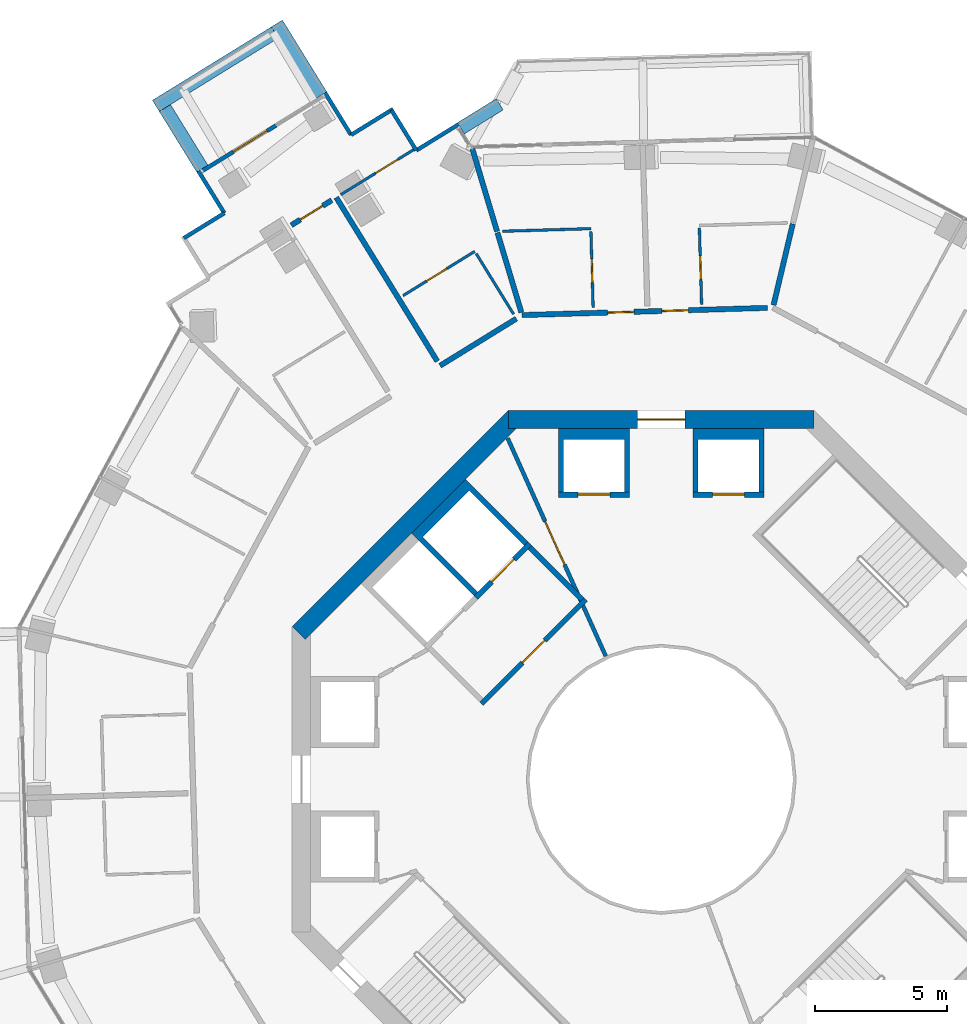
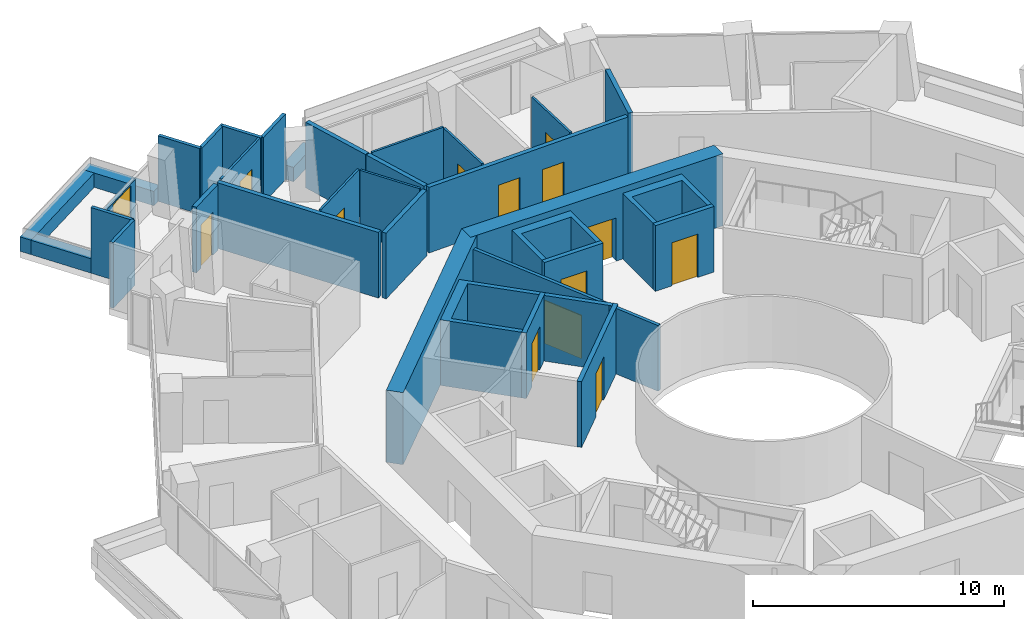
# One storey, part 18 of 22: 35 walls, 14 doors, 14 openings.
"""IFC4 building model written with IfcOpenShell, lengths in metres."""

from ifc_helpers import new_model, si_unit, direction, frame, frame_2d, origin, place, context, subcontext, project, spatial, polyline, rectangle, outline, extrude, material, layer, layer_set, type_object, element, fill, save


model = new_model("IFC4")

# Units and contexts
model_context = context("Model", 3, precision=1e-05, world=origin(), true_north=direction((0.0, 1.0)))
body_context = subcontext(model_context, "Body", "Model", "MODEL_VIEW")
ifc_project = project(units=[si_unit("LENGTHUNIT", "METRE"), si_unit("AREAUNIT", "SQUARE_METRE"), si_unit("VOLUMEUNIT", "CUBIC_METRE"), si_unit("PLANEANGLEUNIT", "RADIAN"), si_unit("MASSUNIT", "GRAM", prefix="KILO")], contexts=[model_context])

# Site, building, storey
site_placement = place(None, origin())
site = spatial("IfcSite", under=ifc_project, at=site_placement, CompositionType="ELEMENT")
building_placement = place(site_placement, origin())
building = spatial("IfcBuilding", under=site, at=building_placement, Name="Verdalira Terraces Hotel", CompositionType="ELEMENT")
storey_placement = place(building_placement, frame((0.0, 0.0, 162.0)))
storey = spatial("IfcBuildingStorey", under=building, at=storey_placement, Name="L39", CompositionType="ELEMENT", Elevation=162.0)

# Walls
ifc_material_1 = material(Name="Concrete C40", Category="concrete")
ifc_layer_1 = layer(ifc_material_1, 0.5)
ifc_layer_set_1 = layer_set([ifc_layer_1], Name="Balcony planter trough with tree")
wall_type_1 = type_object("IfcWallType", Name="Balcony planter trough with tree", PredefinedType="SOLIDWALL", material=ifc_layer_set_1)
wall_1_placement = place(storey_placement, frame((-12.901123, 25.950928, 0.0), z_axis=(0.0, 0.0, 1.0), x_axis=(-0.525174364, 0.850994646, 0.0)))
element("IfcWall", 1, at=wall_1_placement, inside=storey, type_object=wall_type_1, Name="Balcony planter", PredefinedType="SOLIDWALL", context=body_context, shape_type="SweptSolid", body=[
    extrude(rectangle(XDim=3.19873, YDim=0.5, at=frame_2d((1.599365, 0.0))), origin(), (0.0, 0.0, 1.0), 0.699951),
])
wall_2_placement = place(storey_placement, frame((-14.662598, 28.329102, 0.0), z_axis=(0.0, 0.0, 1.0), x_axis=(-0.850991773, -0.525179019, 0.0)))
element("IfcWall", 2, at=wall_2_placement, inside=storey, type_object=wall_type_1, Name="Balcony planter", PredefinedType="SOLIDWALL", context=body_context, shape_type="SweptSolid", body=[
    extrude(rectangle(XDim=5.300049, YDim=0.5, at=frame_2d((2.649902, 0.0))), origin(), (0.0, 0.0, 1.0), 0.699951),
])
wall_3_placement = place(storey_placement, frame((-18.828857, 25.464355, 0.0), z_axis=(0.0, 0.0, 1.0), x_axis=(0.525177019, -0.850993007, 0.0)))
element("IfcWall", 3, at=wall_3_placement, inside=storey, type_object=wall_type_1, Name="Balcony planter", PredefinedType="SOLIDWALL", context=body_context, shape_type="SweptSolid", body=[
    extrude(rectangle(XDim=2.698975, YDim=0.5, at=frame_2d((1.349609, 0.0))), origin(), (0.0, 0.0, 1.0), 0.699951),
])
wall_4_placement = place(storey_placement, frame((-6.128418, 25.605225, 0.0), z_axis=(0.0, 0.0, 1.0), x_axis=(-0.85094078, -0.525261638, 0.0)))
element("IfcWall", 4, at=wall_4_placement, inside=storey, type_object=wall_type_1, Name="Balcony planter", PredefinedType="SOLIDWALL", context=body_context, shape_type="SweptSolid", body=[
    extrude(rectangle(XDim=1.730957, YDim=0.5, at=frame_2d((0.865479, 0.0))), origin(), (0.0, 0.0, 1.0), 0.699951),
])

# Wall, opening, door
ifc_material_2 = material(Name="Moisture-resistant gypsum board partition")
ifc_layer_2 = layer(ifc_material_2, 0.10009765625)
ifc_layer_set_2 = layer_set([ifc_layer_2], Name="Bathroom partition 100 mm")
wall_type_2 = type_object("IfcWallType", Name="Bathroom partition 100 mm", PredefinedType="PARTITIONING", material=ifc_layer_set_2)
wall_5_placement = place(storey_placement, frame((-9.391357, 23.885254, 0.0), z_axis=(0.0, 0.0, 1.0), x_axis=(-0.851000318, -0.525165172, 0.0)))
wall_5 = element("IfcWall", 5, at=wall_5_placement, inside=storey, type_object=wall_type_2, Name="Bathroom partition", PredefinedType="PARTITIONING", context=body_context, shape_type="SweptSolid", body=[
    extrude(rectangle(XDim=3.251953, YDim=0.100098, at=frame_2d((1.625977, 0.0))), origin(), (0.0, 0.0, 1.0), 3.189941),
])
opening_1_placement = place(wall_5_placement, frame((0.699951, 0.0, 0.0)))
opening_1 = element("IfcOpeningElement", 6, at=opening_1_placement, cuts=wall_5, Name="Opening L39-102", PredefinedType="OPENING", context=body_context, shape_type="SweptSolid", body=[
    extrude(rectangle(XDim=1.0, YDim=2.100098, at=frame_2d((0.5, 1.050049))), frame((0.0, 0.060059, 0.0), z_axis=(0.0, -1.0, 0.0), x_axis=(1.0, 0.0, 0.0)), (0.0, 0.0, 1.0), 0.120117),
])
ifc_material_3 = material(Name="Timber door", Category="wood")
door_type_1 = type_object("IfcDoorType", Name="Suite internal door 1000 x 2100", OperationType="NOTDEFINED", PredefinedType="DOOR", material=ifc_material_3)
door_1_placement = place(opening_1_placement, origin())
door_1 = element("IfcDoor", 7, at=door_1_placement, inside=storey, type_object=door_type_1, Name="Suite internal door 3901", OperationType="SINGLE_SWING_LEFT", OverallHeight=2.10009765625, OverallWidth=1.0, PredefinedType="DOOR", context=body_context, shape_type="SweptSolid", body=[
    extrude(rectangle(XDim=1.0, YDim=2.100098, at=frame_2d((0.5, 1.050049))), frame((0.0, 0.024902, 0.0), z_axis=(0.0, -1.0, 0.0), x_axis=(1.0, 0.0, 0.0)), (0.0, 0.0, 1.0), 0.050049),
])
fill(opening_1, door_1)

wall_6_placement = place(storey_placement, frame((-7.072266, 20.028564, 0.0), z_axis=(0.0, 0.0, 1.0), x_axis=(-0.850976524, -0.525203729, 0.0)))
wall_6 = element("IfcWall", 8, at=wall_6_placement, inside=storey, type_object=wall_type_2, Name="Bathroom partition", PredefinedType="PARTITIONING", context=body_context, shape_type="SweptSolid", body=[
    extrude(rectangle(XDim=3.199951, YDim=0.100098, at=frame_2d((1.600098, 0.0))), origin(), (0.0, 0.0, 1.0), 3.189941),
])
opening_2_placement = place(wall_6_placement, frame((1.25, 0.0, 0.0)))
opening_2 = element("IfcOpeningElement", 9, at=opening_2_placement, cuts=wall_6, Name="Opening L39-104", PredefinedType="OPENING", context=body_context, shape_type="SweptSolid", body=[
    extrude(rectangle(XDim=0.899902, YDim=2.100098, at=frame_2d((0.449951, 1.050049))), frame((0.0, 0.060059, 0.0), z_axis=(0.0, -1.0, 0.0), x_axis=(1.0, 0.0, 0.0)), (0.0, 0.0, 1.0), 0.120117),
])
ifc_material_4 = material(Name="Timber door", Category="wood")
door_type_2 = type_object("IfcDoorType", Name="Bathroom door 900 x 2100", OperationType="NOTDEFINED", PredefinedType="DOOR", material=ifc_material_4)
door_2_placement = place(opening_2_placement, origin())
door_2 = element("IfcDoor", 10, at=door_2_placement, inside=storey, type_object=door_type_2, Name="Bathroom door 3901", OperationType="SINGLE_SWING_LEFT", OverallHeight=2.10009765625, OverallWidth=0.89990234375, PredefinedType="DOOR", context=body_context, shape_type="SweptSolid", body=[
    extrude(rectangle(XDim=0.899902, YDim=2.100098, at=frame_2d((0.449951, 1.050049))), frame((0.0, 0.024902, 0.0), z_axis=(0.0, -1.0, 0.0), x_axis=(1.0, 0.0, 0.0)), (0.0, 0.0, 1.0), 0.050049),
])
fill(opening_2, door_2)

# Walls
wall_7_placement = place(storey_placement, frame((-5.601807, 17.645752, 0.0), z_axis=(0.0, 0.0, 1.0), x_axis=(-0.52518675, 0.850987002, 0.0)))
element("IfcWall", 11, at=wall_7_placement, inside=storey, type_object=wall_type_2, Name="Bathroom partition", PredefinedType="PARTITIONING", context=body_context, shape_type="SweptSolid", body=[
    extrude(rectangle(XDim=2.699951, YDim=0.100098, at=frame_2d((1.350098, 0.0))), origin(), (0.0, 0.0, 1.0), 3.189941),
])
wall_8_placement = place(storey_placement, frame((-6.020752, 20.790771, 0.0), z_axis=(0.0, 0.0, 1.0), x_axis=(0.999570835, 0.029294122, 0.0)))
element("IfcWall", 12, at=wall_8_placement, inside=storey, type_object=wall_type_2, Name="Bathroom partition", PredefinedType="PARTITIONING", context=body_context, shape_type="SweptSolid", body=[
    extrude(rectangle(XDim=3.350342, YDim=0.100098, at=frame_2d((1.675293, 0.0))), origin(), (0.0, 0.0, 1.0), 3.189941),
])

# Wall, opening, door
wall_9_placement = place(storey_placement, frame((-2.583984, 17.890381, 0.0), z_axis=(0.0, 0.0, 1.0), x_axis=(-0.029297618, 0.999570733, 0.0)))
wall_9 = element("IfcWall", 13, at=wall_9_placement, inside=storey, type_object=wall_type_2, Name="Bathroom partition", PredefinedType="PARTITIONING", context=body_context, shape_type="SweptSolid", body=[
    extrude(rectangle(XDim=2.899902, YDim=0.100098, at=frame_2d((1.449951, 0.0))), origin(), (0.0, 0.0, 1.0), 3.189941),
])
opening_3_placement = place(wall_9_placement, frame((0.949951, 0.0, 0.0)))
opening_3 = element("IfcOpeningElement", 14, at=opening_3_placement, cuts=wall_9, Name="Opening L39-139", PredefinedType="OPENING", context=body_context, shape_type="SweptSolid", body=[
    extrude(rectangle(XDim=0.899902, YDim=2.100098, at=frame_2d((0.449951, 1.050049))), frame((0.0, 0.060059, 0.0), z_axis=(0.0, -1.0, 0.0), x_axis=(1.0, 0.0, 0.0)), (0.0, 0.0, 1.0), 0.120117),
])
door_3_placement = place(opening_3_placement, origin())
door_3 = element("IfcDoor", 15, at=door_3_placement, inside=storey, type_object=door_type_2, Name="Bathroom door 3912", OperationType="SINGLE_SWING_RIGHT", OverallHeight=2.10009765625, OverallWidth=0.89990234375, PredefinedType="DOOR", context=body_context, shape_type="SweptSolid", body=[
    extrude(rectangle(XDim=0.899902, YDim=2.100098, at=frame_2d((0.449951, 1.050049))), frame((0.0, 0.024902, 0.0), z_axis=(0.0, -1.0, 0.0), x_axis=(1.0, 0.0, 0.0)), (0.0, 0.0, 1.0), 0.050049),
])
fill(opening_3, door_3)

wall_10_placement = place(storey_placement, frame((1.445801, 20.909668, 0.0), z_axis=(0.0, 0.0, 1.0), x_axis=(0.029381734, -0.999568264, 0.0)))
wall_10 = element("IfcWall", 16, at=wall_10_placement, inside=storey, type_object=wall_type_2, Name="Bathroom partition", PredefinedType="PARTITIONING", context=body_context, shape_type="SweptSolid", body=[
    extrude(rectangle(XDim=2.899902, YDim=0.100098, at=frame_2d((1.449951, 0.0))), origin(), (0.0, 0.0, 1.0), 3.189941),
])
opening_4_placement = place(wall_10_placement, frame((1.050049, 0.0, 0.0)))
opening_4 = element("IfcOpeningElement", 17, at=opening_4_placement, cuts=wall_10, Name="Opening L39-137", PredefinedType="OPENING", context=body_context, shape_type="SweptSolid", body=[
    extrude(rectangle(XDim=0.899902, YDim=2.100098, at=frame_2d((0.449951, 1.050049))), frame((0.0, 0.060059, 0.0), z_axis=(0.0, -1.0, 0.0), x_axis=(1.0, 0.0, 0.0)), (0.0, 0.0, 1.0), 0.120117),
])
door_4_placement = place(opening_4_placement, origin())
door_4 = element("IfcDoor", 18, at=door_4_placement, inside=storey, type_object=door_type_2, Name="Bathroom door 3911", OperationType="SINGLE_SWING_LEFT", OverallHeight=2.10009765625, OverallWidth=0.89990234375, PredefinedType="DOOR", context=body_context, shape_type="SweptSolid", body=[
    extrude(rectangle(XDim=0.899902, YDim=2.100098, at=frame_2d((0.449951, 1.050049))), frame((0.0, 0.024902, 0.0), z_axis=(0.0, -1.0, 0.0), x_axis=(1.0, 0.0, 0.0)), (0.0, 0.0, 1.0), 0.050049),
])
fill(opening_4, door_4)

# Wall
ifc_material_5 = material(Name="Concrete C50", Category="concrete")
ifc_layer_3 = layer(ifc_material_5, 0.199951171875)
ifc_layer_set_3 = layer_set([ifc_layer_3], Name="Core RC wall 200 C50")
wall_type_3 = type_object("IfcWallType", Name="Core RC wall 200 C50", PredefinedType="SOLIDWALL", material=ifc_layer_set_3)
wall_11_placement = place(storey_placement, origin())
element("IfcWall", 19, at=wall_11_placement, inside=storey, type_object=wall_type_3, Name="L39 shaft wall N1", PredefinedType="SOLIDWALL", context=body_context, shape_type="SweptSolid", body=[
    extrude(outline(polyline([(3.899902, 13.300049), (3.899902, 10.899902), (3.699951, 10.899902), (3.699951, 12.899902), (1.399902, 12.899902), (1.399902, 10.899902), (1.199951, 10.899902), (1.199951, 13.300049), (3.899902, 13.300049)])), origin(), (0.0, 0.0, 1.0), 3.189941),
])

# Wall, opening, door
wall_12_placement = place(storey_placement, frame((1.199951, 10.800049, 0.0), z_axis=(0.0, 0.0, 1.0), x_axis=(1.0, 0.0, 0.0)))
wall_12 = element("IfcWall", 20, at=wall_12_placement, inside=storey, type_object=wall_type_3, Name="L39 shaft front wall N1", PredefinedType="SOLIDWALL", context=body_context, shape_type="SweptSolid", body=[
    extrude(rectangle(XDim=2.699951, YDim=0.199951, at=frame_2d((1.350098, 0.0))), origin(), (0.0, 0.0, 1.0), 3.189941),
])
opening_5_placement = place(wall_12_placement, frame((0.75, 0.0, 0.0)))
opening_5 = element("IfcOpeningElement", 21, at=opening_5_placement, cuts=wall_12, Name="Opening LD-L39-803", PredefinedType="OPENING", context=body_context, shape_type="SweptSolid", body=[
    extrude(rectangle(XDim=1.199951, YDim=2.100098, at=frame_2d((0.600098, 1.050049))), frame((0.0, 0.109863, 0.0), z_axis=(0.0, -1.0, 0.0), x_axis=(1.0, 0.0, 0.0)), (0.0, 0.0, 1.0), 0.219971),
])
ifc_material_6 = material(Name="Stainless steel", Category="steel")
door_type_3 = type_object("IfcDoorType", Name="Landing door 1200 x 2100", OperationType="NOTDEFINED", PredefinedType="DOOR", material=ifc_material_6)
door_5_placement = place(opening_5_placement, origin())
door_5 = element("IfcDoor", 22, at=door_5_placement, inside=storey, type_object=door_type_3, Name="Lift landing door LR3 L39", OperationType="DOUBLE_DOOR_SLIDING", OverallHeight=2.10009765625, OverallWidth=1.199951171875, PredefinedType="DOOR", context=body_context, shape_type="SweptSolid", body=[
    extrude(rectangle(XDim=1.199951, YDim=2.100098, at=frame_2d((0.600098, 1.050049))), frame((0.0, 0.024902, 0.0), z_axis=(0.0, -1.0, 0.0), x_axis=(1.0, 0.0, 0.0)), (0.0, 0.0, 1.0), 0.050049),
])
fill(opening_5, door_5)

# Wall
wall_13_placement = place(storey_placement, origin())
element("IfcWall", 23, at=wall_13_placement, inside=storey, type_object=wall_type_3, Name="L39 shaft wall N2", PredefinedType="SOLIDWALL", context=body_context, shape_type="SweptSolid", body=[
    extrude(outline(polyline([(-3.899902, 10.899902), (-3.899902, 13.300049), (-1.199951, 13.300049), (-1.199951, 10.899902), (-1.399902, 10.899902), (-1.399902, 12.899902), (-3.699951, 12.899902), (-3.699951, 10.899902), (-3.899902, 10.899902)])), origin(), (0.0, 0.0, 1.0), 3.189941),
])

# Wall, opening, door
wall_14_placement = place(storey_placement, frame((-1.199951, 10.800049, 0.0), z_axis=(0.0, 0.0, 1.0), x_axis=(-1.0, 0.0, 0.0)))
wall_14 = element("IfcWall", 24, at=wall_14_placement, inside=storey, type_object=wall_type_3, Name="L39 shaft front wall N2", PredefinedType="SOLIDWALL", context=body_context, shape_type="SweptSolid", body=[
    extrude(rectangle(XDim=2.699951, YDim=0.199951, at=frame_2d((1.350098, 0.0))), origin(), (0.0, 0.0, 1.0), 3.189941),
])
opening_6_placement = place(wall_14_placement, frame((0.75, 0.0, 0.0)))
opening_6 = element("IfcOpeningElement", 25, at=opening_6_placement, cuts=wall_14, Name="Opening LD-L39-804", PredefinedType="OPENING", context=body_context, shape_type="SweptSolid", body=[
    extrude(rectangle(XDim=1.199951, YDim=2.100098, at=frame_2d((0.600098, 1.050049))), frame((0.0, 0.109863, 0.0), z_axis=(0.0, -1.0, 0.0), x_axis=(1.0, 0.0, 0.0)), (0.0, 0.0, 1.0), 0.219971),
])
door_6_placement = place(opening_6_placement, origin())
door_6 = element("IfcDoor", 26, at=door_6_placement, inside=storey, type_object=door_type_3, Name="Lift landing door LR4 L39", OperationType="DOUBLE_DOOR_SLIDING", OverallHeight=2.10009765625, OverallWidth=1.199951171875, PredefinedType="DOOR", context=body_context, shape_type="SweptSolid", body=[
    extrude(rectangle(XDim=1.199951, YDim=2.100098, at=frame_2d((0.600098, 1.050049))), frame((0.0, 0.024902, 0.0), z_axis=(0.0, -1.0, 0.0), x_axis=(1.0, 0.0, 0.0)), (0.0, 0.0, 1.0), 0.050049),
])
fill(opening_6, door_6)

# Wall
wall_15_placement = place(storey_placement, origin())
element("IfcWall", 27, at=wall_15_placement, inside=storey, type_object=wall_type_3, Name="L39 shaft wall F1", PredefinedType="SOLIDWALL", context=body_context, shape_type="SweptSolid", body=[
    extrude(outline(polyline([(-9.475098, 9.33374), (-7.424561, 11.384521), (-5.055908, 9.015625), (-5.197266, 8.874268), (-7.283203, 10.960205), (-9.051025, 9.192383), (-6.965088, 7.106445), (-7.106445, 6.965088), (-9.475098, 9.33374)])), origin(), (0.0, 0.0, 1.0), 3.189941),
])

# Wall, opening, door
wall_16_placement = place(storey_placement, frame((-4.985107, 8.944824, 0.0), z_axis=(0.0, 0.0, 1.0), x_axis=(-0.707106781, -0.707106781, 0.0)))
wall_16 = element("IfcWall", 28, at=wall_16_placement, inside=storey, type_object=wall_type_3, Name="L39 shaft front wall F1", PredefinedType="SOLIDWALL", context=body_context, shape_type="SweptSolid", body=[
    extrude(rectangle(XDim=2.899902, YDim=0.199951, at=frame_2d((1.449951, 0.0))), origin(), (0.0, 0.0, 1.0), 3.189941),
])
opening_7_placement = place(wall_16_placement, frame((0.850098, 0.0, 0.0)))
opening_7 = element("IfcOpeningElement", 29, at=opening_7_placement, cuts=wall_16, Name="Opening LD-L39-807", PredefinedType="OPENING", context=body_context, shape_type="SweptSolid", body=[
    extrude(rectangle(XDim=1.199951, YDim=2.100098, at=frame_2d((0.600098, 1.050049))), frame((0.0, 0.109863, 0.0), z_axis=(0.0, -1.0, 0.0), x_axis=(1.0, 0.0, 0.0)), (0.0, 0.0, 1.0), 0.219971),
])
door_7_placement = place(opening_7_placement, origin())
door_7 = element("IfcDoor", 30, at=door_7_placement, inside=storey, type_object=door_type_3, Name="Lift landing door LF11 L39", OperationType="DOUBLE_DOOR_SLIDING", OverallHeight=2.10009765625, OverallWidth=1.199951171875, PredefinedType="DOOR", context=body_context, shape_type="SweptSolid", body=[
    extrude(rectangle(XDim=1.199951, YDim=2.100098, at=frame_2d((0.600098, 1.050049))), frame((0.0, 0.024902, 0.0), z_axis=(0.0, -1.0, 0.0), x_axis=(1.0, 0.0, 0.0)), (0.0, 0.0, 1.0), 0.050049),
])
fill(opening_7, door_7)

wall_17_placement = place(storey_placement, frame((-2.86377, 6.823486, 0.0), z_axis=(0.0, 0.0, 1.0), x_axis=(-0.707106781, -0.707106781, 0.0)))
wall_17 = element("IfcWall", 31, at=wall_17_placement, inside=storey, type_object=wall_type_3, Name="L39 fire lobby wall", PredefinedType="SOLIDWALL", context=body_context, shape_type="SweptSolid", body=[
    extrude(rectangle(XDim=5.599854, YDim=0.199951, at=frame_2d((2.799805, 0.0))), origin(), (0.0, 0.0, 1.0), 3.189941),
])
opening_8_placement = place(wall_17_placement, frame((2.199951, 0.0, 0.0)))
opening_8 = element("IfcOpeningElement", 32, at=opening_8_placement, cuts=wall_17, Name="Opening L39-819", PredefinedType="OPENING", context=body_context, shape_type="SweptSolid", body=[
    extrude(rectangle(XDim=1.199951, YDim=2.100098, at=frame_2d((0.600098, 1.050049))), frame((0.0, 0.109863, 0.0), z_axis=(0.0, -1.0, 0.0), x_axis=(1.0, 0.0, 0.0)), (0.0, 0.0, 1.0), 0.219971),
])
ifc_material_7 = material(Name="Steel fire door", Category="steel")
door_type_4 = type_object("IfcDoorType", Name="Lobby door 1200 x 2100", OperationType="NOTDEFINED", PredefinedType="DOOR", material=ifc_material_7)
door_8_placement = place(opening_8_placement, origin())
door_8 = element("IfcDoor", 33, at=door_8_placement, inside=storey, type_object=door_type_4, Name="Fire lobby door L39", OperationType="SINGLE_SWING_LEFT", OverallHeight=2.10009765625, OverallWidth=1.199951171875, PredefinedType="DOOR", context=body_context, shape_type="SweptSolid", body=[
    extrude(rectangle(XDim=1.199951, YDim=2.100098, at=frame_2d((0.600098, 1.050049))), frame((0.0, 0.024902, 0.0), z_axis=(0.0, -1.0, 0.0), x_axis=(1.0, 0.0, 0.0)), (0.0, 0.0, 1.0), 0.050049),
])
fill(opening_8, door_8)

# Wall
wall_18_placement = place(storey_placement, frame((-3.005127, 6.823486, 0.0), z_axis=(0.0, 0.0, 1.0), x_axis=(-0.707106781, 0.707106781, 0.0)))
element("IfcWall", 34, at=wall_18_placement, inside=storey, type_object=wall_type_3, Name="L39 fire lobby wall", PredefinedType="SOLIDWALL", context=body_context, shape_type="SweptSolid", body=[
    extrude(rectangle(XDim=2.800049, YDim=0.199951, at=frame_2d((1.399902, 0.0))), origin(), (0.0, 0.0, 1.0), 3.189941),
])

# Wall, opening, door
ifc_material_8 = material(Name="Gypsum board partition")
ifc_layer_4 = layer(ifc_material_8, 0.14990234375)
ifc_layer_set_4 = layer_set([ifc_layer_4], Name="Core partition 150 mm")
wall_type_4 = type_object("IfcWallType", Name="Core partition 150 mm", PredefinedType="PARTITIONING", material=ifc_layer_set_4)
wall_19_placement = place(storey_placement, frame((-5.827637, 12.94165, 0.0), z_axis=(0.0, 0.0, 1.0), x_axis=(0.410577476, -0.911825716, 0.0)))
wall_19 = element("IfcWall", 35, at=wall_19_placement, inside=storey, type_object=wall_type_4, Name="Gallery fire partition L39", PredefinedType="PARTITIONING", context=body_context, shape_type="SweptSolid", body=[
    extrude(rectangle(XDim=9.063232, YDim=0.149902, at=frame_2d((4.531738, 0.0))), origin(), (0.0, 0.0, 1.0), 3.189941),
])
opening_9_placement = place(wall_19_placement, frame((3.463379, 0.0, 0.0)))
opening_9 = element("IfcOpeningElement", 36, at=opening_9_placement, cuts=wall_19, Name="Opening L39-824", PredefinedType="OPENING", context=body_context, shape_type="SweptSolid", body=[
    extrude(rectangle(XDim=1.800049, YDim=2.100098, at=frame_2d((0.899902, 1.050049))), frame((0.0, 0.084961, 0.0), z_axis=(0.0, -1.0, 0.0), x_axis=(1.0, 0.0, 0.0)), (0.0, 0.0, 1.0), 0.169922),
])
ifc_material_9 = material(Name="Steel fire door", Category="steel")
door_type_5 = type_object("IfcDoorType", Name="Gallery fire door pair 1800 x 2100", OperationType="NOTDEFINED", PredefinedType="DOOR", material=ifc_material_9)
door_9_placement = place(opening_9_placement, origin())
door_9 = element("IfcDoor", 37, at=door_9_placement, inside=storey, type_object=door_type_5, Name="Door L39 split2", OperationType="DOUBLE_DOOR_SINGLE_SWING", OverallHeight=2.10009765625, OverallWidth=1.800048828125, PredefinedType="DOOR", context=body_context, shape_type="SweptSolid", body=[
    extrude(rectangle(XDim=1.800049, YDim=2.100098, at=frame_2d((0.899902, 1.050049))), frame((0.0, 0.024902, 0.0), z_axis=(0.0, -1.0, 0.0), x_axis=(1.0, 0.0, 0.0)), (0.0, 0.0, 1.0), 0.050049),
])
fill(opening_9, door_9)

ifc_material_10 = material(Name="Concrete C60", Category="concrete")
ifc_layer_5 = layer(ifc_material_10, 0.699951171875)
ifc_layer_set_5 = layer_set([ifc_layer_5], Name="Core wall 700 C60")
wall_type_5 = type_object("IfcWallType", Name="Core wall 700 C60", PredefinedType="SHEAR", material=ifc_layer_set_5)
wall_20_placement = place(storey_placement, frame((5.799072, 13.649902, 0.0), z_axis=(0.0, 0.0, 1.0), x_axis=(-1.0, 0.0, 0.0)))
wall_20 = element("IfcWall", 38, at=wall_20_placement, inside=storey, type_object=wall_type_5, Name="Core wall CW-L39-3", PredefinedType="SHEAR", context=body_context, shape_type="SweptSolid", body=[
    extrude(rectangle(XDim=11.598145, YDim=0.699951, at=frame_2d((5.799072, 0.0))), origin(), (0.0, 0.0, 1.0), 3.5),
])
opening_10_placement = place(wall_20_placement, frame((4.898926, 0.0, 0.0)))
opening_10 = element("IfcOpeningElement", 39, at=opening_10_placement, cuts=wall_20, Name="Opening L39-813", PredefinedType="OPENING", context=body_context, shape_type="SweptSolid", body=[
    extrude(rectangle(XDim=1.800049, YDim=2.100098, at=frame_2d((0.899902, 1.050049))), frame((0.0, 0.359863, 0.0), z_axis=(0.0, -1.0, 0.0), x_axis=(1.0, 0.0, 0.0)), (0.0, 0.0, 1.0), 0.719971),
])
ifc_material_11 = material(Name="Steel fire door", Category="steel")
door_type_6 = type_object("IfcDoorType", Name="Core entry door pair 1800 x 2100", OperationType="NOTDEFINED", PredefinedType="DOOR", material=ifc_material_11)
door_10_placement = place(opening_10_placement, origin())
door_10 = element("IfcDoor", 40, at=door_10_placement, inside=storey, type_object=door_type_6, Name="Core entry door L39 2", OperationType="DOUBLE_DOOR_SINGLE_SWING", OverallHeight=2.10009765625, OverallWidth=1.800048828125, PredefinedType="DOOR", context=body_context, shape_type="SweptSolid", body=[
    extrude(rectangle(XDim=1.800049, YDim=2.100098, at=frame_2d((0.899902, 1.050049))), frame((0.0, 0.024902, 0.0), z_axis=(0.0, -1.0, 0.0), x_axis=(1.0, 0.0, 0.0)), (0.0, 0.0, 1.0), 0.050049),
])
fill(opening_10, door_10)

# Walls
wall_21_placement = place(storey_placement, frame((-5.551514, 13.752441, 0.0), z_axis=(0.0, 0.0, 1.0), x_axis=(-0.707106781, -0.707106781, 0.0)))
element("IfcWall", 41, at=wall_21_placement, inside=storey, type_object=wall_type_5, Name="Core wall CW-L39-4", PredefinedType="SHEAR", context=body_context, shape_type="SweptSolid", body=[
    extrude(rectangle(XDim=11.5979, YDim=0.699951, at=frame_2d((5.798828, 0.0))), origin(), (0.0, 0.0, 1.0), 3.5),
])
ifc_material_12 = material(Name="Fire-rated gypsum board wall")
ifc_layer_6 = layer(ifc_material_12, 0.199951171875)
ifc_layer_set_6 = layer_set([ifc_layer_6], Name="Demising wall 200 mm")
wall_type_6 = type_object("IfcWallType", Name="Demising wall 200 mm", PredefinedType="SOLIDWALL", material=ifc_layer_set_6)
wall_22_placement = place(storey_placement, frame((-7.165283, 23.913818, 0.0), z_axis=(0.0, 0.0, 1.0), x_axis=(0.286970971, -0.957939279, 0.0)))
element("IfcWall", 42, at=wall_22_placement, inside=storey, type_object=wall_type_6, Name="Demising wall", PredefinedType="SOLIDWALL", context=body_context, shape_type="SweptSolid", body=[
    extrude(rectangle(XDim=3.268555, YDim=0.199951, at=frame_2d((1.634277, 0.0))), origin(), (0.0, 0.0, 1.0), 3.189941),
])
for number, where, z_axis, x_axis, name in (
    (43, (-6.214111, 20.73877, 0.0), (0.0, 0.0, 1.0), (0.287050302, -0.95791551, 0.0), "Demising wall"),
    (44, (4.259521, 17.990967, 0.0), (0.0, 0.0, 1.0), (0.230360547, 0.973105348, 0.0), "Demising wall"),
):
    element("IfcWall", number, at=place(storey_placement, frame(where, z_axis=z_axis, x_axis=x_axis)), inside=storey, type_object=wall_type_6, Name=name, PredefinedType="SOLIDWALL", context=body_context, shape_type="SweptSolid", body=[
        extrude(rectangle(XDim=3.161377, YDim=0.199951, at=frame_2d((1.580566, 0.0))), origin(), (0.0, 0.0, 1.0), 3.189941),
    ])

# Wall, opening, door
ifc_material_13 = material(Name="Fire-rated gypsum board wall")
ifc_layer_7 = layer(ifc_material_13, 0.199951171875)
ifc_layer_set_7 = layer_set([ifc_layer_7], Name="Guest corridor wall 200 mm")
wall_type_7 = type_object("IfcWallType", Name="Guest corridor wall 200 mm", PredefinedType="SOLIDWALL", material=ifc_layer_set_7)
wall_23_placement = place(storey_placement, frame((-14.032715, 21.020996, 0.0), z_axis=(0.0, 0.0, 1.0), x_axis=(0.851002559, 0.525161541, 0.0)))
wall_23 = element("IfcWall", 45, at=wall_23_placement, inside=storey, type_object=wall_type_7, Name="Guest corridor wall", PredefinedType="SOLIDWALL", context=body_context, shape_type="SweptSolid", body=[
    extrude(rectangle(XDim=1.804199, YDim=0.199951, at=frame_2d((0.9021, 0.0))), origin(), (0.0, 0.0, 1.0), 3.189941),
])
opening_11_placement = place(wall_23_placement, frame((0.399902, 0.0, 0.0)))
opening_11 = element("IfcOpeningElement", 46, at=opening_11_placement, cuts=wall_23, Name="Opening L39-101", PredefinedType="OPENING", context=body_context, shape_type="SweptSolid", body=[
    extrude(rectangle(XDim=1.0, YDim=2.100098, at=frame_2d((0.5, 1.050049))), frame((0.0, 0.109863, 0.0), z_axis=(0.0, -1.0, 0.0), x_axis=(1.0, 0.0, 0.0)), (0.0, 0.0, 1.0), 0.219971),
])
ifc_material_14 = material(Name="Timber fire door", Category="wood")
door_type_7 = type_object("IfcDoorType", Name="Guest entry door 1000 x 2100", OperationType="NOTDEFINED", PredefinedType="DOOR", material=ifc_material_14)
door_11_placement = place(opening_11_placement, origin())
door_11 = element("IfcDoor", 47, at=door_11_placement, inside=storey, type_object=door_type_7, Name="Guest entry door 3901", OperationType="SINGLE_SWING_LEFT", OverallHeight=2.10009765625, OverallWidth=1.0, PredefinedType="DOOR", context=body_context, shape_type="SweptSolid", body=[
    extrude(rectangle(XDim=1.0, YDim=2.100098, at=frame_2d((0.5, 1.050049))), frame((0.0, 0.024902, 0.0), z_axis=(0.0, -1.0, 0.0), x_axis=(1.0, 0.0, 0.0)), (0.0, 0.0, 1.0), 0.050049),
])
fill(opening_11, door_11)

# Walls
wall_24_placement = place(storey_placement, frame((-8.495117, 15.860107, 0.0), z_axis=(0.0, 0.0, 1.0), x_axis=(-0.525162469, 0.851001986, 0.0)))
element("IfcWall", 48, at=wall_24_placement, inside=storey, type_object=wall_type_7, Name="Guest corridor wall", PredefinedType="SOLIDWALL", context=body_context, shape_type="SweptSolid", body=[
    extrude(rectangle(XDim=7.300049, YDim=0.199951, at=frame_2d((3.649902, 0.0))), origin(), (0.0, 0.0, 1.0), 3.189941),
])
wall_25_placement = place(storey_placement, frame((-5.496582, 17.475586, 0.0), z_axis=(0.0, 0.0, 1.0), x_axis=(-0.851001875, -0.525162649, 0.0)))
element("IfcWall", 49, at=wall_25_placement, inside=storey, type_object=wall_type_7, Name="Guest corridor wall", PredefinedType="SOLIDWALL", context=body_context, shape_type="SweptSolid", body=[
    extrude(rectangle(XDim=3.400146, YDim=0.199951, at=frame_2d((1.700195, 0.0))), origin(), (0.0, 0.0, 1.0), 3.189941),
])

# Wall, openings, doors
wall_26_placement = place(storey_placement, frame((-5.276855, 17.611084, 0.0), z_axis=(0.0, 0.0, 1.0), x_axis=(0.999569971, 0.029323584, 0.0)))
wall_26 = element("IfcWall", 50, at=wall_26_placement, inside=storey, type_object=wall_type_7, Name="Guest corridor wall", PredefinedType="SOLIDWALL", context=body_context, shape_type="SweptSolid", body=[
    extrude(rectangle(XDim=9.316406, YDim=0.199951, at=frame_2d((4.658203, 0.0))), origin(), (0.0, 0.0, 1.0), 3.189941),
])
opening_12_placement = place(wall_26_placement, frame((5.30835, 0.0, 0.0)))
opening_12 = element("IfcOpeningElement", 51, at=opening_12_placement, cuts=wall_26, Name="Opening L39-136", PredefinedType="OPENING", context=body_context, shape_type="SweptSolid", body=[
    extrude(rectangle(XDim=1.0, YDim=2.100098, at=frame_2d((0.5, 1.050049))), frame((0.0, 0.109863, 0.0), z_axis=(0.0, -1.0, 0.0), x_axis=(1.0, 0.0, 0.0)), (0.0, 0.0, 1.0), 0.219971),
])
opening_13_placement = place(wall_26_placement, frame((3.25, 0.0, 0.0)))
opening_13 = element("IfcOpeningElement", 52, at=opening_13_placement, cuts=wall_26, Name="Opening L39-138", PredefinedType="OPENING", context=body_context, shape_type="SweptSolid", body=[
    extrude(rectangle(XDim=1.0, YDim=2.100098, at=frame_2d((0.5, 1.050049))), frame((0.0, 0.109863, 0.0), z_axis=(0.0, -1.0, 0.0), x_axis=(1.0, 0.0, 0.0)), (0.0, 0.0, 1.0), 0.219971),
])
door_12_placement = place(opening_12_placement, origin())
door_12 = element("IfcDoor", 53, at=door_12_placement, inside=storey, type_object=door_type_7, Name="Guest entry door 3911", OperationType="SINGLE_SWING_LEFT", OverallHeight=2.10009765625, OverallWidth=1.0, PredefinedType="DOOR", context=body_context, shape_type="SweptSolid", body=[
    extrude(rectangle(XDim=1.0, YDim=2.100098, at=frame_2d((0.5, 1.050049))), frame((0.0, 0.024902, 0.0), z_axis=(0.0, -1.0, 0.0), x_axis=(1.0, 0.0, 0.0)), (0.0, 0.0, 1.0), 0.050049),
])
fill(opening_12, door_12)
door_13_placement = place(opening_13_placement, origin())
door_13 = element("IfcDoor", 54, at=door_13_placement, inside=storey, type_object=door_type_7, Name="Guest entry door 3912", OperationType="SINGLE_SWING_RIGHT", OverallHeight=2.10009765625, OverallWidth=1.0, PredefinedType="DOOR", context=body_context, shape_type="SweptSolid", body=[
    extrude(rectangle(XDim=1.0, YDim=2.100098, at=frame_2d((0.5, 1.050049))), frame((0.0, 0.024902, 0.0), z_axis=(0.0, -1.0, 0.0), x_axis=(1.0, 0.0, 0.0)), (0.0, 0.0, 1.0), 0.050049),
])
fill(opening_13, door_13)

# Walls
ifc_material_15 = material(Name="Terracotta cladding", Category="masonry")
ifc_layer_8 = layer(ifc_material_15, 0.14990234375)
ifc_layer_set_8 = layer_set([ifc_layer_8], Name="Terracotta clad wall 150")
wall_type_8 = type_object("IfcWallType", Name="Terracotta clad wall 150", PredefinedType="SOLIDWALL", material=ifc_layer_set_8)
wall_27_placement = place(storey_placement, frame((-7.694092, 24.844482, 0.0), z_axis=(0.0, 0.0, 1.0), x_axis=(-0.851027347, -0.525121372, 0.0)))
element("IfcWall", 55, at=wall_27_placement, inside=storey, type_object=wall_type_8, Name="Terracotta cladding wall", PredefinedType="SOLIDWALL", context=body_context, shape_type="SweptSolid", body=[
    extrude(rectangle(XDim=1.875, YDim=0.149902, at=frame_2d((0.9375, 0.0))), origin(), (0.0, 0.0, 1.0), 3.189941),
])
wall_28_placement = place(storey_placement, frame((-9.289795, 23.859863, 0.0), z_axis=(0.0, 0.0, 1.0), x_axis=(-0.52518675, 0.850987002, 0.0)))
element("IfcWall", 56, at=wall_28_placement, inside=storey, type_object=wall_type_8, Name="Terracotta cladding wall", PredefinedType="SOLIDWALL", context=body_context, shape_type="SweptSolid", body=[
    extrude(rectangle(XDim=1.800049, YDim=0.149902, at=frame_2d((0.899902, 0.0))), origin(), (0.0, 0.0, 1.0), 3.189941),
])
wall_29_placement = place(storey_placement, frame((-10.171387, 25.430908, 0.0), z_axis=(0.0, 0.0, 1.0), x_axis=(-0.850991436, -0.525179566, 0.0)))
element("IfcWall", 57, at=wall_29_placement, inside=storey, type_object=wall_type_8, Name="Terracotta cladding wall", PredefinedType="SOLIDWALL", context=body_context, shape_type="SweptSolid", body=[
    extrude(rectangle(XDim=1.874756, YDim=0.149902, at=frame_2d((0.9375, 0.0))), origin(), (0.0, 0.0, 1.0), 3.189941),
])
for number, where, z_axis, x_axis, name in (
    (58, (-11.766846, 24.446289, 0.0), (0.0, 0.0, 1.0), (-0.525215664, 0.850969157, 0.0), "Terracotta cladding wall"),
    (59, (-17.559814, 23.074707, 0.0), (0.0, 0.0, 1.0), (0.525215664, -0.850969157, 0.0), "Terracotta cladding wall"),
):
    element("IfcWall", number, at=place(storey_placement, frame(where, z_axis=z_axis, x_axis=x_axis)), inside=storey, type_object=wall_type_8, Name=name, PredefinedType="SOLIDWALL", context=body_context, shape_type="SweptSolid", body=[
        extrude(rectangle(XDim=1.875244, YDim=0.149902, at=frame_2d((0.9375, 0.0))), origin(), (0.0, 0.0, 1.0), 3.189941),
    ])
wall_30_placement = place(storey_placement, frame((-16.574951, 21.479004, 0.0), z_axis=(0.0, 0.0, 1.0), x_axis=(-0.850987002, -0.52518675, 0.0)))
element("IfcWall", 60, at=wall_30_placement, inside=storey, type_object=wall_type_8, Name="Terracotta cladding wall", PredefinedType="SOLIDWALL", context=body_context, shape_type="SweptSolid", body=[
    extrude(rectangle(XDim=1.800049, YDim=0.149902, at=frame_2d((0.899902, 0.0))), origin(), (0.0, 0.0, 1.0), 3.189941),
])

# Wall, opening, door
ifc_material_16 = material(Name="Terracotta cladding", Category="masonry")
ifc_layer_9 = layer(ifc_material_16, 0.14990234375)
ifc_layer_set_9 = layer_set([ifc_layer_9], Name="Terracotta door pier 150")
wall_type_9 = type_object("IfcWallType", Name="Terracotta door pier 150", PredefinedType="SOLIDWALL", material=ifc_layer_set_9)
wall_31_placement = place(storey_placement, frame((-14.614258, 24.804199, 0.0), z_axis=(0.0, 0.0, 1.0), x_axis=(-0.851009664, -0.525150028, 0.0)))
wall_31 = element("IfcWall", 61, at=wall_31_placement, inside=storey, type_object=wall_type_9, Name="Terracotta door pier", PredefinedType="SOLIDWALL", context=body_context, shape_type="SweptSolid", body=[
    extrude(rectangle(XDim=3.259766, YDim=0.149902, at=frame_2d((1.629883, 0.0))), origin(), (0.0, 0.0, 1.0), 2.475098),
])
opening_14_placement = place(wall_31_placement, frame((0.399902, 0.0, 0.0)))
opening_14 = element("IfcOpeningElement", 62, at=opening_14_placement, cuts=wall_31, Name="Opening L39-B01", PredefinedType="OPENING", context=body_context, shape_type="SweptSolid", body=[
    extrude(rectangle(XDim=1.5, YDim=2.399902, at=frame_2d((0.75, 1.199951))), frame((0.0, 0.084961, 0.0), z_axis=(0.0, -1.0, 0.0), x_axis=(1.0, 0.0, 0.0)), (0.0, 0.0, 1.0), 0.169922),
])
ifc_material_17 = material(Name="Clear glass", Category="glass")
door_type_8 = type_object("IfcDoorType", Name="Balcony sliding door 1500x2400", OperationType="NOTDEFINED", PredefinedType="DOOR", material=ifc_material_17)
door_14_placement = place(opening_14_placement, origin())
door_14 = element("IfcDoor", 63, at=door_14_placement, inside=storey, type_object=door_type_8, Name="Balcony sliding door", OperationType="SLIDING_TO_RIGHT", OverallHeight=2.39990234375, OverallWidth=1.5, PredefinedType="DOOR", context=body_context, shape_type="SweptSolid", body=[
    extrude(rectangle(XDim=1.5, YDim=2.399902, at=frame_2d((0.75, 1.199951))), frame((0.0, 0.024902, 0.0), z_axis=(0.0, -1.0, 0.0), x_axis=(1.0, 0.0, 0.0)), (0.0, 0.0, 1.0), 0.050049),
])
fill(opening_14, door_14)

save(model, "model.ifc")
